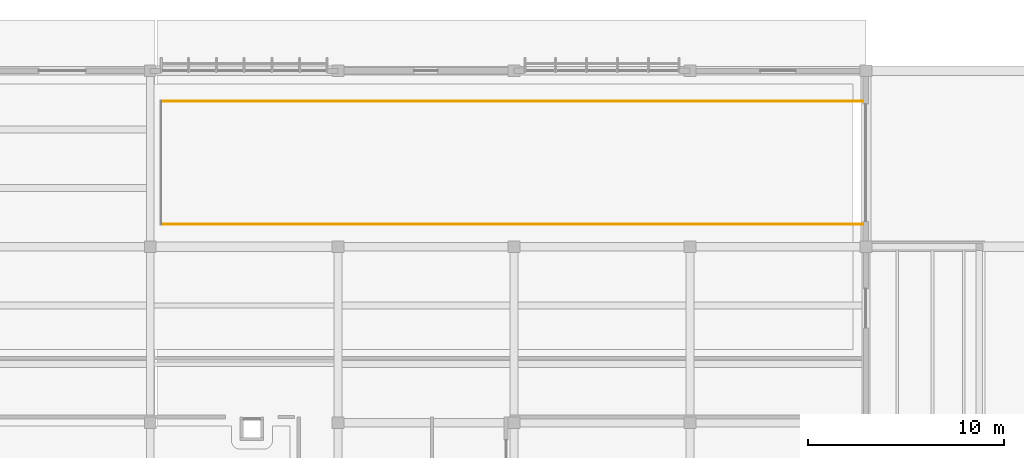
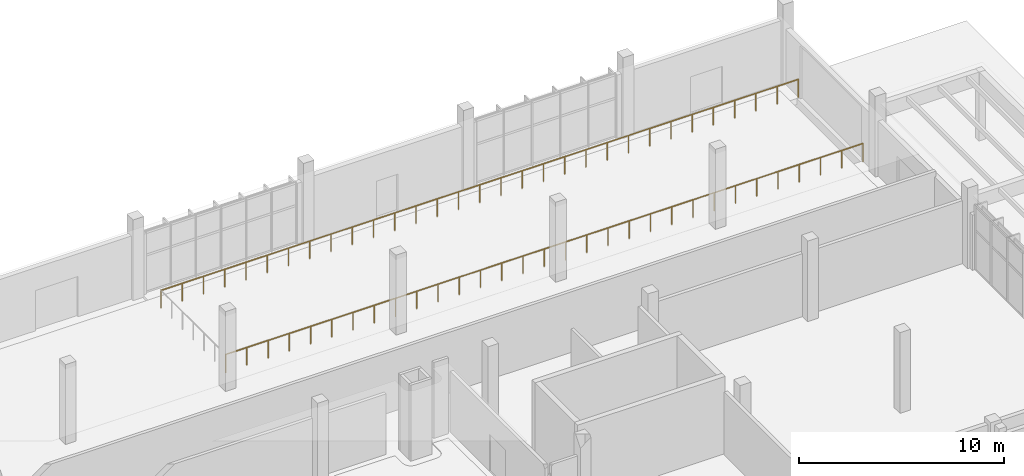
# One storey, part 150 of 151: 2 railings.
"""IFC4 building model written with IfcOpenShell, lengths in metres."""

import ifcopenshell
import ifcopenshell.guid

model = None  # the IFC model being written
_history = None  # IfcOwnerHistory: only IFC2X3 demands one
_inside = {}  # id of a spatial element -> (the spatial element, [elements in it])
_under = {}  # id of a project, library or spatial element -> (it, [spatial elements below it])
_declared = {}  # id of a project -> (the project, [libraries it declares])
_typed = {}  # id of a type object -> (the type object, [elements of that type])
_made_of = {}  # id of a material, layer set ... -> (it, [elements and type objects made of it])


def new_model(schema):
    """Start an empty IFC model of exactly this schema.

    Asked for "IFC4X3", IfcOpenShell would pick the latest addendum, in which some entities
    have other attributes; the version numbers below select the first issue.
    IFC2X3 requires an IfcOwnerHistory on every rooted entity: one is made here for all.
    """
    global model, _history
    if schema == "IFC4X3":
        model = ifcopenshell.file(schema_version=(4, 3, 0, 0))
    else:
        model = ifcopenshell.file(schema=schema)
    _inside.clear()
    _under.clear()
    _declared.clear()
    _typed.clear()
    _made_of.clear()
    _history = None
    if model.schema == "IFC2X3":
        org = make("IfcOrganization", Name="unknown")
        user = make(
            "IfcPersonAndOrganization",
            ThePerson=make("IfcPerson", FamilyName="unknown"),
            TheOrganization=org,
        )
        app = make(
            "IfcApplication",
            ApplicationDeveloper=org,
            Version="unknown",
            ApplicationFullName="unknown",
            ApplicationIdentifier="unknown",
        )
        _history = make(
            "IfcOwnerHistory",
            OwningUser=user,
            OwningApplication=app,
            ChangeAction="ADDED",
            CreationDate=0,
        )
    return model


def make(cls, **values):
    """One entity of the class cls with the attributes given. An attribute that is None is left unset."""
    return model.create_entity(
        cls, **{name: value for name, value in values.items() if value is not None}
    )


def rooted(cls, **values):
    """An entity with a GlobalId (a new one), such as an element, a storey or a relation."""
    return make(cls, GlobalId=ifcopenshell.guid.new(), OwnerHistory=_history, **values)


def si_unit(unit_type, name, prefix=None):
    """IfcSIUnit, for example si_unit("LENGTHUNIT", "METRE", prefix="MILLI")."""
    return make("IfcSIUnit", UnitType=unit_type, Prefix=prefix, Name=name)


def assignment(units):
    """IfcUnitAssignment: the units of a project."""
    return None if units is None else make("IfcUnitAssignment", Units=units)


def point(xyz):
    """IfcCartesianPoint."""
    return None if xyz is None else make("IfcCartesianPoint", Coordinates=xyz)


def direction(xyz):
    """IfcDirection."""
    return None if xyz is None else make("IfcDirection", DirectionRatios=xyz)


def frame(location, z_axis=None, x_axis=None):
    """IfcAxis2Placement3D, a coordinate frame: its origin and axes. An axis left out is left unset."""
    return make(
        "IfcAxis2Placement3D",
        Location=point(location),
        Axis=direction(z_axis),
        RefDirection=direction(x_axis),
    )


def frame_2d(location, x_axis=None):
    """IfcAxis2Placement2D, a coordinate frame in the plane: its origin and x axis."""
    return make(
        "IfcAxis2Placement2D", Location=point(location), RefDirection=direction(x_axis)
    )


def origin():
    """The frame at (0, 0, 0) with its axes left unset."""
    return frame((0.0, 0.0, 0.0))


def origin_2d():
    """The frame at (0, 0) in the plane with its x axis left unset."""
    return frame_2d((0.0, 0.0))


def place(relative_to, where):
    """IfcLocalPlacement: puts the frame where relative to a parent placement (None: the world)."""
    return make(
        "IfcLocalPlacement", PlacementRelTo=relative_to, RelativePlacement=where
    )


def context(
    kind, dimensions, precision=None, world=None, true_north=None, identifier=None
):
    """IfcGeometricRepresentationContext, for example the 3D "Model" context."""
    return make(
        "IfcGeometricRepresentationContext",
        ContextIdentifier=identifier,
        ContextType=kind,
        CoordinateSpaceDimension=dimensions,
        Precision=precision,
        WorldCoordinateSystem=world,
        TrueNorth=true_north,
    )


def subcontext(parent, identifier, kind, view, scale=None):
    """IfcGeometricRepresentationSubContext, for example "Body" below "Model"."""
    return make(
        "IfcGeometricRepresentationSubContext",
        ContextIdentifier=identifier,
        ContextType=kind,
        ParentContext=parent,
        TargetScale=scale,
        TargetView=view,
    )


def project(units=None, contexts=None):
    """IfcProject with its units and contexts."""
    return rooted(
        "IfcProject",
        Name="project",
        RepresentationContexts=contexts,
        UnitsInContext=assignment(units),
    )


def spatial(cls, under=None, at=None, **own):
    """A site, building, storey or space (cls), placed at a placement, below another one or the project."""
    s = rooted(cls, ObjectPlacement=at, **own)
    if under is not None:
        _under.setdefault(under.id(), (under, []))[1].append(s)
    return s


def profile(cls, at=None, kind="AREA", **sizes):
    """A parametric profile (cls). Its sizes go by their IFC names, for example OverallWidth=200.0."""
    return make(cls, ProfileType=kind, Position=at, **sizes)


def circle(**sizes):
    """IfcCircleProfileDef."""
    return profile("IfcCircleProfileDef", **sizes)


def extrude(swept, where, along, depth):
    """IfcExtrudedAreaSolid: the profile swept, set in the frame where, extruded along a direction by depth."""
    return make(
        "IfcExtrudedAreaSolid",
        SweptArea=swept,
        Position=where,
        ExtrudedDirection=direction(along),
        Depth=depth,
    )


def shape(context_of_items, identifier, shape_type, items):
    """IfcShapeRepresentation: the items that make up one representation, for example the "Body"."""
    return make(
        "IfcShapeRepresentation",
        ContextOfItems=context_of_items,
        RepresentationIdentifier=identifier,
        RepresentationType=shape_type,
        Items=items,
    )


def material(Name=None, Category=None):
    """IfcMaterial."""
    return make("IfcMaterial", Name=Name, Category=Category)


def layer(
    of_material, thickness, ventilated=None, Name=None, Category=None, Priority=None
):
    """IfcMaterialLayer: one layer of a wall or slab, of a material (None: an air gap)."""
    return make(
        "IfcMaterialLayer",
        Material=of_material,
        LayerThickness=thickness,
        IsVentilated=ventilated,
        Name=Name,
        Category=Category,
        Priority=Priority,
    )


def layer_set(layers, Name=None):
    """IfcMaterialLayerSet."""
    return make("IfcMaterialLayerSet", MaterialLayers=layers, LayerSetName=Name)


def made_of(thing, what):
    """Note that an element or type object is made of a material, layer set ...; save() writes the relation."""
    if what is not None:
        _made_of.setdefault(what.id(), (what, []))[1].append(thing)
    return thing


def type_object(cls, material=None, **own):
    """A type object (cls), such as IfcWallType, which elements share."""
    return made_of(rooted(cls, **own), material)


def element(
    cls,
    number,
    at=None,
    inside=None,
    cuts=None,
    type_object=None,
    material=None,
    context=None,
    identifier="Body",
    shape_type=None,
    held_by="IfcProductDefinitionShape",
    body=None,
    shapes=None,
    **own,
):
    """One element of the class cls, such as IfcWall. Its Tag is "e" and its number.

    at: its placement. inside: the storey or other place that contains it. cuts: it is an
    opening in that element (IfcRelVoidsElement). A single representation is given by context,
    identifier, shape_type and body (its items); several are given by shapes. held_by: the class
    of the entity that holds the representations. save() writes the other relations.
    """
    e = rooted(cls, Tag="e%d" % number, ObjectPlacement=at, **own)
    if body is not None:
        shapes = [shape(context, identifier, shape_type, body)]
    if shapes is not None:
        e.Representation = make(held_by, Representations=shapes)
    if inside is not None:
        _inside.setdefault(inside.id(), (inside, []))[1].append(e)
    if cuts is not None:
        rooted(
            "IfcRelVoidsElement", RelatingBuildingElement=cuts, RelatedOpeningElement=e
        )
    if type_object is not None:
        _typed.setdefault(type_object.id(), (type_object, []))[1].append(e)
    return made_of(e, material)


def aggregate(whole, parts):
    """IfcRelAggregates: a whole, such as a stair, and the parts it consists of."""
    return rooted("IfcRelAggregates", RelatingObject=whole, RelatedObjects=parts)


def save(model, path):
    """Write the relations noted so far, then the file.

    IfcRelAggregates (storeys below a building ...), IfcRelContainedInSpatialStructure (elements
    in a storey), IfcRelDefinesByType, IfcRelAssociatesMaterial and IfcRelDeclares: one each for
    every whole, place, type object, material and project.
    """
    for whole, parts in _under.values():
        aggregate(whole, parts)
    for where, things in _inside.values():
        rooted(
            "IfcRelContainedInSpatialStructure",
            RelatedElements=things,
            RelatingStructure=where,
        )
    for kind, things in _typed.values():
        rooted("IfcRelDefinesByType", RelatedObjects=things, RelatingType=kind)
    for what, things in _made_of.values():
        rooted("IfcRelAssociatesMaterial", RelatedObjects=things, RelatingMaterial=what)
    for by, libraries in _declared.values():
        rooted("IfcRelDeclares", RelatingContext=by, RelatedDefinitions=libraries)
    model.write(path)


model = new_model("IFC4")

# Units and contexts
model_context = context("Model", 3, precision=1e-05, world=origin(), true_north=direction((0.0, 1.0)))
body_context = subcontext(model_context, "Body", "Model", "MODEL_VIEW")
ifc_project = project(units=[si_unit("LENGTHUNIT", "METRE"), si_unit("AREAUNIT", "SQUARE_METRE"), si_unit("VOLUMEUNIT", "CUBIC_METRE"), si_unit("PLANEANGLEUNIT", "RADIAN"), si_unit("MASSUNIT", "GRAM", prefix="KILO")], contexts=[model_context])

# Site, building, storey
site_placement = place(None, origin())
site = spatial("IfcSite", under=ifc_project, at=site_placement, CompositionType="ELEMENT")
building_placement = place(site_placement, origin())
building = spatial("IfcBuilding", under=site, at=building_placement, Name="Chiffa Square Polytechnic", CompositionType="ELEMENT")
storey_placement = place(building_placement, origin())
storey = spatial("IfcBuildingStorey", under=building, at=storey_placement, Name="L00", CompositionType="ELEMENT", Elevation=0.0)

# Railings
ifc_material = material(Name="Steel S355", Category="steel")
ifc_layer = layer(ifc_material, 0.050048828125, Name="Steel S355")
ifc_layer_set = layer_set([ifc_layer], Name="Steel S355")
railing_type = type_object("IfcRailingType", Name="RL-STAIR-GUARD", PredefinedType="GUARDRAIL", material=ifc_layer_set)
railing_1_placement = place(storey_placement, frame((148.050048828125, 122.949951171875, 0.0)))
element("IfcRailing", 1, at=railing_1_placement, inside=storey, type_object=railing_type, Name="Ramp head guard GR-RAMP-L00-1", PredefinedType="GUARDRAIL", context=body_context, shape_type="SweptSolid", body=[
    extrude(circle(Radius=0.02392578125, at=origin_2d()), frame((0.0, 0.0, 1.076171875), z_axis=(-1.0, 0.0, 0.0), x_axis=(0.0, -1.0, 0.0)), (0.0, 0.0, 1.0), 35.900146484375),
    extrude(circle(Radius=0.02099609375, at=origin_2d()), origin(), (0.0, 0.0, 1.0), 1.052001953125),
    extrude(circle(Radius=0.02099609375, at=origin_2d()), frame((-1.19677734375, 0.0, 0.0)), (0.0, 0.0, 1.0), 1.052001953125),
    extrude(circle(Radius=0.02099609375, at=origin_2d()), frame((-2.393310546875, 0.0, 0.0)), (0.0, 0.0, 1.0), 1.052001953125),
    extrude(circle(Radius=0.02099609375, at=origin_2d()), frame((-3.590087890625, 0.0, 0.0)), (0.0, 0.0, 1.0), 1.052001953125),
    extrude(circle(Radius=0.02099609375, at=origin_2d()), frame((-4.78662109375, 0.0, 0.0)), (0.0, 0.0, 1.0), 1.052001953125),
    extrude(circle(Radius=0.02099609375, at=origin_2d()), frame((-5.9833984375, 0.0, 0.0)), (0.0, 0.0, 1.0), 1.052001953125),
    extrude(circle(Radius=0.02099609375, at=origin_2d()), frame((-7.179931640625, 0.0, 0.0)), (0.0, 0.0, 1.0), 1.052001953125),
    extrude(circle(Radius=0.02099609375, at=origin_2d()), frame((-8.376708984375, 0.0, 0.0)), (0.0, 0.0, 1.0), 1.052001953125),
    extrude(circle(Radius=0.02099609375, at=origin_2d()), frame((-9.573486328125, 0.0, 0.0)), (0.0, 0.0, 1.0), 1.052001953125),
    extrude(circle(Radius=0.02099609375, at=origin_2d()), frame((-10.77001953125, 0.0, 0.0)), (0.0, 0.0, 1.0), 1.052001953125),
    extrude(circle(Radius=0.02099609375, at=origin_2d()), frame((-11.966796875, 0.0, 0.0)), (0.0, 0.0, 1.0), 1.052001953125),
    extrude(circle(Radius=0.02099609375, at=origin_2d()), frame((-13.163330078125, 0.0, 0.0)), (0.0, 0.0, 1.0), 1.052001953125),
    extrude(circle(Radius=0.02099609375, at=origin_2d()), frame((-14.360107421875, 0.0, 0.0)), (0.0, 0.0, 1.0), 1.052001953125),
    extrude(circle(Radius=0.02099609375, at=origin_2d()), frame((-15.556640625, 0.0, 0.0)), (0.0, 0.0, 1.0), 1.052001953125),
    extrude(circle(Radius=0.02099609375, at=origin_2d()), frame((-16.75341796875, 0.0, 0.0)), (0.0, 0.0, 1.0), 1.052001953125),
    extrude(circle(Radius=0.02099609375, at=origin_2d()), frame((-17.9501953125, 0.0, 0.0)), (0.0, 0.0, 1.0), 1.052001953125),
    extrude(circle(Radius=0.02099609375, at=origin_2d()), frame((-19.146728515625, 0.0, 0.0)), (0.0, 0.0, 1.0), 1.052001953125),
    extrude(circle(Radius=0.02099609375, at=origin_2d()), frame((-20.343505859375, 0.0, 0.0)), (0.0, 0.0, 1.0), 1.052001953125),
    extrude(circle(Radius=0.02099609375, at=origin_2d()), frame((-21.5400390625, 0.0, 0.0)), (0.0, 0.0, 1.0), 1.052001953125),
    extrude(circle(Radius=0.02099609375, at=origin_2d()), frame((-22.73681640625, 0.0, 0.0)), (0.0, 0.0, 1.0), 1.052001953125),
    extrude(circle(Radius=0.02099609375, at=origin_2d()), frame((-23.933349609375, 0.0, 0.0)), (0.0, 0.0, 1.0), 1.052001953125),
    extrude(circle(Radius=0.02099609375, at=origin_2d()), frame((-25.130126953125, 0.0, 0.0)), (0.0, 0.0, 1.0), 1.052001953125),
    extrude(circle(Radius=0.02099609375, at=origin_2d()), frame((-26.32666015625, 0.0, 0.0)), (0.0, 0.0, 1.0), 1.052001953125),
    extrude(circle(Radius=0.02099609375, at=origin_2d()), frame((-27.5234375, 0.0, 0.0)), (0.0, 0.0, 1.0), 1.052001953125),
    extrude(circle(Radius=0.02099609375, at=origin_2d()), frame((-28.72021484375, 0.0, 0.0)), (0.0, 0.0, 1.0), 1.052001953125),
    extrude(circle(Radius=0.02099609375, at=origin_2d()), frame((-29.916748046875, 0.0, 0.0)), (0.0, 0.0, 1.0), 1.052001953125),
    extrude(circle(Radius=0.02099609375, at=origin_2d()), frame((-31.113525390625, 0.0, 0.0)), (0.0, 0.0, 1.0), 1.052001953125),
    extrude(circle(Radius=0.02099609375, at=origin_2d()), frame((-32.31005859375, 0.0, 0.0)), (0.0, 0.0, 1.0), 1.052001953125),
    extrude(circle(Radius=0.02099609375, at=origin_2d()), frame((-33.5068359375, 0.0, 0.0)), (0.0, 0.0, 1.0), 1.052001953125),
    extrude(circle(Radius=0.02099609375, at=origin_2d()), frame((-34.703369140625, 0.0, 0.0)), (0.0, 0.0, 1.0), 1.052001953125),
    extrude(circle(Radius=0.02099609375, at=origin_2d()), frame((-35.900146484375, 0.0, 0.0)), (0.0, 0.0, 1.0), 1.052001953125),
])
railing_2_placement = place(storey_placement, frame((112.14990234375, 129.25, 0.0)))
element("IfcRailing", 2, at=railing_2_placement, inside=storey, type_object=railing_type, Name="Ramp head guard GR-RAMP-L00-3", PredefinedType="GUARDRAIL", context=body_context, shape_type="SweptSolid", body=[
    extrude(circle(Radius=0.02392578125, at=origin_2d()), frame((0.0, 0.0, 1.076171875), z_axis=(1.0, 0.0, 0.0), x_axis=(0.0, 1.0, 0.0)), (0.0, 0.0, 1.0), 35.900146484375),
    extrude(circle(Radius=0.02099609375, at=origin_2d()), origin(), (0.0, 0.0, 1.0), 1.052001953125),
    extrude(circle(Radius=0.02099609375, at=origin_2d()), frame((1.19677734375, 0.0, 0.0)), (0.0, 0.0, 1.0), 1.052001953125),
    extrude(circle(Radius=0.02099609375, at=origin_2d()), frame((2.393310546875, 0.0, 0.0)), (0.0, 0.0, 1.0), 1.052001953125),
    extrude(circle(Radius=0.02099609375, at=origin_2d()), frame((3.590087890625, 0.0, 0.0)), (0.0, 0.0, 1.0), 1.052001953125),
    extrude(circle(Radius=0.02099609375, at=origin_2d()), frame((4.78662109375, 0.0, 0.0)), (0.0, 0.0, 1.0), 1.052001953125),
    extrude(circle(Radius=0.02099609375, at=origin_2d()), frame((5.9833984375, 0.0, 0.0)), (0.0, 0.0, 1.0), 1.052001953125),
    extrude(circle(Radius=0.02099609375, at=origin_2d()), frame((7.179931640625, 0.0, 0.0)), (0.0, 0.0, 1.0), 1.052001953125),
    extrude(circle(Radius=0.02099609375, at=origin_2d()), frame((8.376708984375, 0.0, 0.0)), (0.0, 0.0, 1.0), 1.052001953125),
    extrude(circle(Radius=0.02099609375, at=origin_2d()), frame((9.573486328125, 0.0, 0.0)), (0.0, 0.0, 1.0), 1.052001953125),
    extrude(circle(Radius=0.02099609375, at=origin_2d()), frame((10.77001953125, 0.0, 0.0)), (0.0, 0.0, 1.0), 1.052001953125),
    extrude(circle(Radius=0.02099609375, at=origin_2d()), frame((11.966796875, 0.0, 0.0)), (0.0, 0.0, 1.0), 1.052001953125),
    extrude(circle(Radius=0.02099609375, at=origin_2d()), frame((13.163330078125, 0.0, 0.0)), (0.0, 0.0, 1.0), 1.052001953125),
    extrude(circle(Radius=0.02099609375, at=origin_2d()), frame((14.360107421875, 0.0, 0.0)), (0.0, 0.0, 1.0), 1.052001953125),
    extrude(circle(Radius=0.02099609375, at=origin_2d()), frame((15.556640625, 0.0, 0.0)), (0.0, 0.0, 1.0), 1.052001953125),
    extrude(circle(Radius=0.02099609375, at=origin_2d()), frame((16.75341796875, 0.0, 0.0)), (0.0, 0.0, 1.0), 1.052001953125),
    extrude(circle(Radius=0.02099609375, at=origin_2d()), frame((17.9501953125, 0.0, 0.0)), (0.0, 0.0, 1.0), 1.052001953125),
    extrude(circle(Radius=0.02099609375, at=origin_2d()), frame((19.146728515625, 0.0, 0.0)), (0.0, 0.0, 1.0), 1.052001953125),
    extrude(circle(Radius=0.02099609375, at=origin_2d()), frame((20.343505859375, 0.0, 0.0)), (0.0, 0.0, 1.0), 1.052001953125),
    extrude(circle(Radius=0.02099609375, at=origin_2d()), frame((21.5400390625, 0.0, 0.0)), (0.0, 0.0, 1.0), 1.052001953125),
    extrude(circle(Radius=0.02099609375, at=origin_2d()), frame((22.73681640625, 0.0, 0.0)), (0.0, 0.0, 1.0), 1.052001953125),
    extrude(circle(Radius=0.02099609375, at=origin_2d()), frame((23.933349609375, 0.0, 0.0)), (0.0, 0.0, 1.0), 1.052001953125),
    extrude(circle(Radius=0.02099609375, at=origin_2d()), frame((25.130126953125, 0.0, 0.0)), (0.0, 0.0, 1.0), 1.052001953125),
    extrude(circle(Radius=0.02099609375, at=origin_2d()), frame((26.32666015625, 0.0, 0.0)), (0.0, 0.0, 1.0), 1.052001953125),
    extrude(circle(Radius=0.02099609375, at=origin_2d()), frame((27.5234375, 0.0, 0.0)), (0.0, 0.0, 1.0), 1.052001953125),
    extrude(circle(Radius=0.02099609375, at=origin_2d()), frame((28.72021484375, 0.0, 0.0)), (0.0, 0.0, 1.0), 1.052001953125),
    extrude(circle(Radius=0.02099609375, at=origin_2d()), frame((29.916748046875, 0.0, 0.0)), (0.0, 0.0, 1.0), 1.052001953125),
    extrude(circle(Radius=0.02099609375, at=origin_2d()), frame((31.113525390625, 0.0, 0.0)), (0.0, 0.0, 1.0), 1.052001953125),
    extrude(circle(Radius=0.02099609375, at=origin_2d()), frame((32.31005859375, 0.0, 0.0)), (0.0, 0.0, 1.0), 1.052001953125),
    extrude(circle(Radius=0.02099609375, at=origin_2d()), frame((33.5068359375, 0.0, 0.0)), (0.0, 0.0, 1.0), 1.052001953125),
    extrude(circle(Radius=0.02099609375, at=origin_2d()), frame((34.703369140625, 0.0, 0.0)), (0.0, 0.0, 1.0), 1.052001953125),
    extrude(circle(Radius=0.02099609375, at=origin_2d()), frame((35.900146484375, 0.0, 0.0)), (0.0, 0.0, 1.0), 1.052001953125),
])

save(model, "model.ifc")
